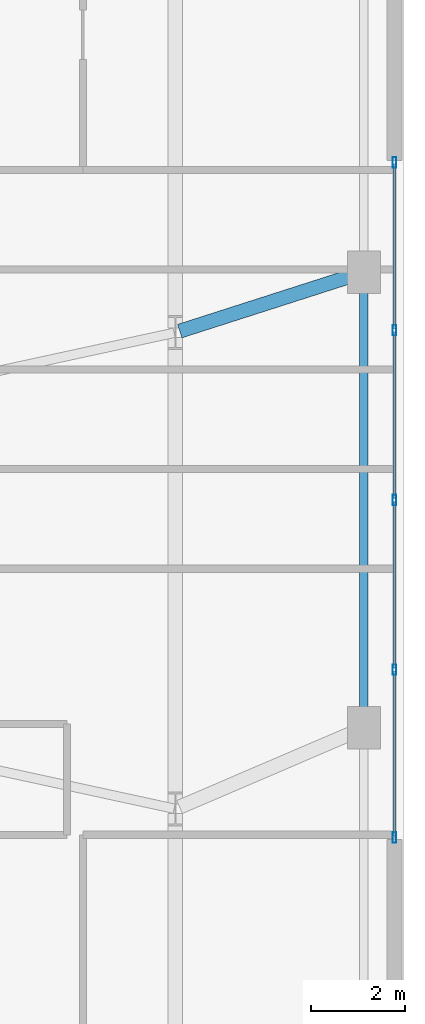
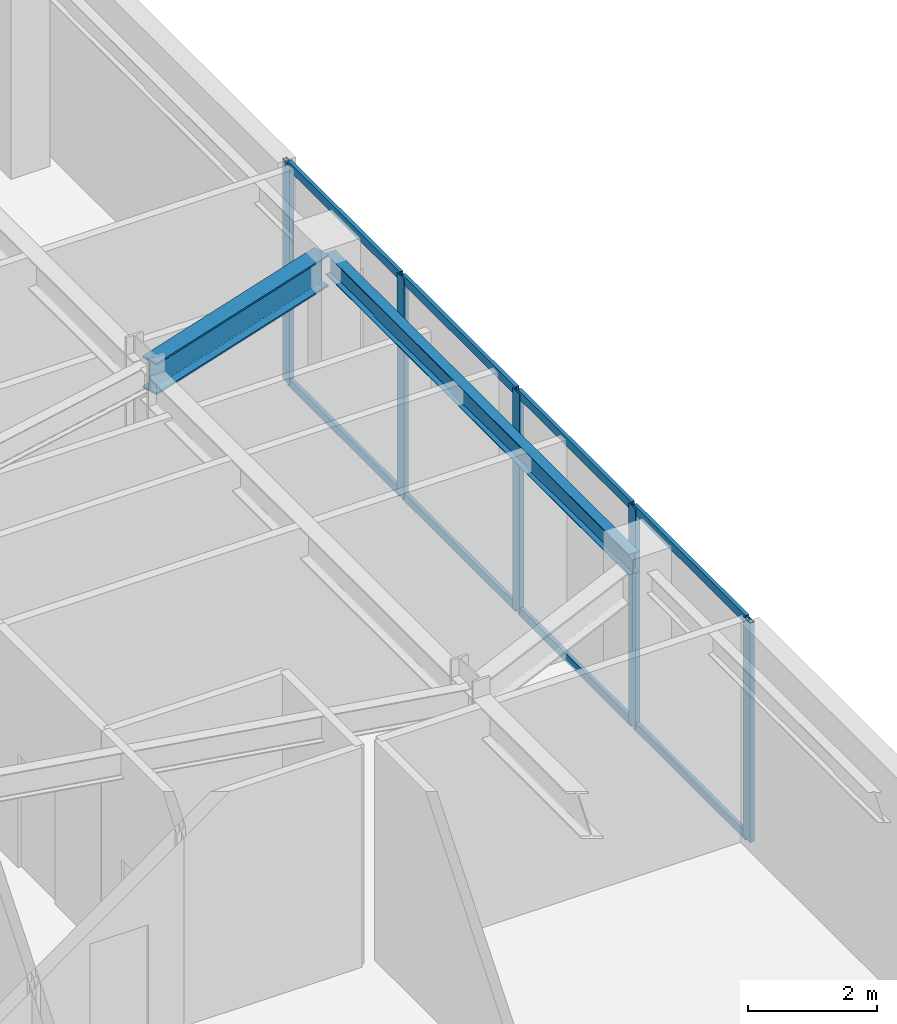
# One storey, part 9 of 21: 13 members, 2 beams, 1 element without a shape of its own.
"""IFC4 building model written with IfcOpenShell, lengths in metres."""

from ifc_helpers import new_model, si_unit, direction, frame, origin, origin_2d, place, context, subcontext, project, spatial, hollow_rectangle, i_section, extrude, material, layer, layer_set, material_profile, profile_set, type_object, element, aggregate, save


model = new_model("IFC4")

# Units and contexts
model_context = context("Model", 3, precision=1e-05, world=origin(), true_north=direction((0.0, 1.0)))
body_context = subcontext(model_context, "Body", "Model", "MODEL_VIEW")
ifc_project = project(units=[si_unit("LENGTHUNIT", "METRE"), si_unit("AREAUNIT", "SQUARE_METRE"), si_unit("VOLUMEUNIT", "CUBIC_METRE"), si_unit("PLANEANGLEUNIT", "RADIAN"), si_unit("MASSUNIT", "GRAM", prefix="KILO")], contexts=[model_context])

# Site, building, storey
site_placement = place(None, origin())
site = spatial("IfcSite", under=ifc_project, at=site_placement, CompositionType="ELEMENT")
building_placement = place(site_placement, origin())
building = spatial("IfcBuilding", under=site, at=building_placement, Name="Qobustan Lattice House", CompositionType="ELEMENT")
storey_placement = place(building_placement, frame((0.0, 0.0, 18.0)))
storey = spatial("IfcBuildingStorey", under=building, at=storey_placement, Name="L04", CompositionType="ELEMENT", Elevation=18.0)

# Beams
ifc_material_1 = material(Name="Steel S355", Category="steel")
ifc_material_profile_1 = material_profile(ifc_material_1, i_section(OverallWidth=0.300048828125, OverallDepth=0.60009765625, WebThickness=0.015380859375, FlangeThickness=0.030029296875, FilletRadius=0.027099609375, at=origin_2d()), Name="HEB600")
ifc_profile_set_1 = profile_set([ifc_material_profile_1], Name="Steel S355")
beam_type_1 = type_object("IfcBeamType", Name="BM-POD-HEB600", PredefinedType="USERDEFINED", material=ifc_profile_set_1)
beam_1_placement = place(storey_placement, frame((36.03564453125, 6.296630859375, 3.8701171875), z_axis=(-0.952198151545, -0.305481063561, 0.0), x_axis=(0.305481063561, -0.952198151545, 0.0)))
element("IfcBeam", 1, at=beam_1_placement, inside=storey, type_object=beam_type_1, Name="L04 podium radial girder PE3", ObjectType="GIRDER", PredefinedType="USERDEFINED", context=body_context, shape_type="SweptSolid", body=[
    extrude(i_section(OverallWidth=0.300048828125, OverallDepth=0.60009765625, WebThickness=0.015380859375, FlangeThickness=0.030029296875, FilletRadius=0.027099609375, at=origin_2d()), origin(), (0.0, 0.0, 1.0), 3.980712890625),
])
ifc_material_2 = material(Name="Steel S355", Category="steel")
ifc_material_profile_2 = material_profile(ifc_material_2, i_section(OverallWidth=0.179931640625, OverallDepth=0.39990234375, WebThickness=0.008544921875, FlangeThickness=0.013427734375, FilletRadius=0.02099609375, at=origin_2d()), Name="IPE400")
ifc_profile_set_2 = profile_set([ifc_material_profile_2], Name="Steel S355")
beam_type_2 = type_object("IfcBeamType", Name="BM-SPD-IPE400", PredefinedType="SPANDREL", material=ifc_profile_set_2)
beam_2_placement = place(storey_placement, frame((36.14990234375, -3.21337890625, 3.969970703125), z_axis=(0.0, 1.0, 0.0), x_axis=(-1.0, 0.0, 0.0)))
element("IfcBeam", 2, at=beam_2_placement, inside=storey, type_object=beam_type_2, Name="L04 podium spandrel PE2-PE3", PredefinedType="SPANDREL", context=body_context, shape_type="SweptSolid", body=[
    extrude(i_section(OverallWidth=0.179931640625, OverallDepth=0.39990234375, WebThickness=0.008544921875, FlangeThickness=0.013427734375, FilletRadius=0.02099609375, at=origin_2d()), origin(), (0.0, 0.0, 1.0), 9.4267578125),
])

# Curtain wall, members
ifc_material_3 = material(Name="Anodised aluminium and low-E glazing", Category="aluminium")
ifc_layer = layer(ifc_material_3, 0.219970703125)
ifc_layer_set = layer_set([ifc_layer], Name="Anodised aluminium and low-E glazing")
curtain_wall_type = type_object("IfcCurtainWallType", Name="CW-POD-01", PredefinedType="USERDEFINED", material=ifc_layer_set)
curtain_wall_placement = place(storey_placement, origin())
curtain_wall = element("IfcCurtainWall", 3, at=curtain_wall_placement, inside=storey, type_object=curtain_wall_type, Name="L04 E podium colonnade curtain wall", ObjectType="CURTAIN WALL", PredefinedType="USERDEFINED")
ifc_material_4 = material(Name="Anodised aluminium EN AW-6063 T6", Category="aluminium")
ifc_material_profile_3 = material_profile(ifc_material_4, hollow_rectangle(XDim=0.080078125, YDim=0.219970703125, WallThickness=0.0048828125, at=origin_2d()), Name="CWM-220x80")
ifc_profile_set_3 = profile_set([ifc_material_profile_3], Name="Anodised aluminium EN AW-6063 T6")
member_type_1 = type_object("IfcMemberType", Name="CWM-MAIN-220", PredefinedType="MULLION", material=ifc_profile_set_3)
member_1_placement = place(storey_placement, frame((36.800048828125, 8.659912109375, 0.0), z_axis=(0.0, 0.0, 1.0), x_axis=(1.0, 0.0, 0.0)))
member_1 = element("IfcMember", 4, at=member_1_placement, type_object=member_type_1, Name="CW-P1 mullion 1", PredefinedType="MULLION", context=body_context, shape_type="SweptSolid", body=[
    extrude(hollow_rectangle(XDim=0.080078125, YDim=0.219970703125, WallThickness=0.0048828125, at=origin_2d()), origin(), (0.0, 0.0, 1.0), 4.169921875),
])
member_2_placement = place(storey_placement, frame((36.800048828125, 5.10009765625, 0.0), z_axis=(0.0, 0.0, 1.0), x_axis=(1.0, 0.0, 0.0)))
member_2 = element("IfcMember", 5, at=member_2_placement, type_object=member_type_1, Name="CW-P1 mullion 2", PredefinedType="MULLION", context=body_context, shape_type="SweptSolid", body=[
    extrude(hollow_rectangle(XDim=0.080078125, YDim=0.219970703125, WallThickness=0.0048828125, at=origin_2d()), origin(), (0.0, 0.0, 1.0), 4.169921875),
])
member_3_placement = place(storey_placement, frame((36.800048828125, 1.5, 0.0), z_axis=(0.0, 0.0, 1.0), x_axis=(1.0, 0.0, 0.0)))
member_3 = element("IfcMember", 6, at=member_3_placement, type_object=member_type_1, Name="CW-P1 mullion 3", PredefinedType="MULLION", context=body_context, shape_type="SweptSolid", body=[
    extrude(hollow_rectangle(XDim=0.080078125, YDim=0.219970703125, WallThickness=0.0048828125, at=origin_2d()), origin(), (0.0, 0.0, 1.0), 4.169921875),
])
member_4_placement = place(storey_placement, frame((36.800048828125, -2.10009765625, 0.0), z_axis=(0.0, 0.0, 1.0), x_axis=(1.0, 0.0, 0.0)))
member_4 = element("IfcMember", 7, at=member_4_placement, type_object=member_type_1, Name="CW-P1 mullion 4", PredefinedType="MULLION", context=body_context, shape_type="SweptSolid", body=[
    extrude(hollow_rectangle(XDim=0.080078125, YDim=0.219970703125, WallThickness=0.0048828125, at=origin_2d()), origin(), (0.0, 0.0, 1.0), 4.169921875),
])
member_5_placement = place(storey_placement, frame((36.800048828125, -5.659912109375, 0.0), z_axis=(0.0, 0.0, 1.0), x_axis=(1.0, 0.0, 0.0)))
member_5 = element("IfcMember", 8, at=member_5_placement, type_object=member_type_1, Name="CW-P1 mullion 5", PredefinedType="MULLION", context=body_context, shape_type="SweptSolid", body=[
    extrude(hollow_rectangle(XDim=0.080078125, YDim=0.219970703125, WallThickness=0.0048828125, at=origin_2d()), origin(), (0.0, 0.0, 1.0), 4.169921875),
])
ifc_material_5 = material(Name="Anodised aluminium EN AW-6063 T6", Category="aluminium")
ifc_material_profile_4 = material_profile(ifc_material_5, hollow_rectangle(XDim=0.06494140625, YDim=0.159912109375, WallThickness=0.00390625, at=origin_2d()), Name="CWT-160x65")
ifc_profile_set_4 = profile_set([ifc_material_profile_4], Name="Anodised aluminium EN AW-6063 T6")
member_type_2 = type_object("IfcMemberType", Name="CWT-HOR-160", PredefinedType="USERDEFINED", material=ifc_profile_set_4)
member_6_placement = place(storey_placement, frame((36.800048828125, 8.6201171875, 0.032470703125), z_axis=(0.0, -1.0, 0.0), x_axis=(1.0, 0.0, 0.0)))
member_6 = element("IfcMember", 9, at=member_6_placement, type_object=member_type_2, Name="CW-P1 transom 1.1", ObjectType="TRANSOM", PredefinedType="USERDEFINED", context=body_context, shape_type="SweptSolid", body=[
    extrude(hollow_rectangle(XDim=0.06494140625, YDim=0.159912109375, WallThickness=0.00390625, at=origin_2d()), origin(), (0.0, 0.0, 1.0), 3.480224609375),
])
member_7_placement = place(storey_placement, frame((36.800048828125, 8.6201171875, 4.137451171875), z_axis=(0.0, -1.0, 0.0), x_axis=(1.0, 0.0, 0.0)))
member_7 = element("IfcMember", 10, at=member_7_placement, type_object=member_type_2, Name="CW-P1 transom 1.2", ObjectType="TRANSOM", PredefinedType="USERDEFINED", context=body_context, shape_type="SweptSolid", body=[
    extrude(hollow_rectangle(XDim=0.06494140625, YDim=0.159912109375, WallThickness=0.00390625, at=origin_2d()), origin(), (0.0, 0.0, 1.0), 3.480224609375),
])
member_8_placement = place(storey_placement, frame((36.800048828125, 5.06005859375, 0.032470703125), z_axis=(0.0, -1.0, 0.0), x_axis=(1.0, 0.0, 0.0)))
member_8 = element("IfcMember", 11, at=member_8_placement, type_object=member_type_2, Name="CW-P1 transom 2.1", ObjectType="TRANSOM", PredefinedType="USERDEFINED", context=body_context, shape_type="SweptSolid", body=[
    extrude(hollow_rectangle(XDim=0.06494140625, YDim=0.159912109375, WallThickness=0.00390625, at=origin_2d()), origin(), (0.0, 0.0, 1.0), 3.52001953125),
])
member_9_placement = place(storey_placement, frame((36.800048828125, 5.06005859375, 4.137451171875), z_axis=(0.0, -1.0, 0.0), x_axis=(1.0, 0.0, 0.0)))
member_9 = element("IfcMember", 12, at=member_9_placement, type_object=member_type_2, Name="CW-P1 transom 2.2", ObjectType="TRANSOM", PredefinedType="USERDEFINED", context=body_context, shape_type="SweptSolid", body=[
    extrude(hollow_rectangle(XDim=0.06494140625, YDim=0.159912109375, WallThickness=0.00390625, at=origin_2d()), origin(), (0.0, 0.0, 1.0), 3.52001953125),
])
member_10_placement = place(storey_placement, frame((36.800048828125, 1.4599609375, 0.032470703125), z_axis=(0.0, -1.0, 0.0), x_axis=(1.0, 0.0, 0.0)))
member_10 = element("IfcMember", 13, at=member_10_placement, type_object=member_type_2, Name="CW-P1 transom 3.1", ObjectType="TRANSOM", PredefinedType="USERDEFINED", context=body_context, shape_type="SweptSolid", body=[
    extrude(hollow_rectangle(XDim=0.06494140625, YDim=0.159912109375, WallThickness=0.00390625, at=origin_2d()), origin(), (0.0, 0.0, 1.0), 3.52001953125),
])
member_11_placement = place(storey_placement, frame((36.800048828125, 1.4599609375, 4.137451171875), z_axis=(0.0, -1.0, 0.0), x_axis=(1.0, 0.0, 0.0)))
member_11 = element("IfcMember", 14, at=member_11_placement, type_object=member_type_2, Name="CW-P1 transom 3.2", ObjectType="TRANSOM", PredefinedType="USERDEFINED", context=body_context, shape_type="SweptSolid", body=[
    extrude(hollow_rectangle(XDim=0.06494140625, YDim=0.159912109375, WallThickness=0.00390625, at=origin_2d()), origin(), (0.0, 0.0, 1.0), 3.52001953125),
])
member_12_placement = place(storey_placement, frame((36.800048828125, -2.139892578125, 0.032470703125), z_axis=(0.0, -1.0, 0.0), x_axis=(1.0, 0.0, 0.0)))
member_12 = element("IfcMember", 15, at=member_12_placement, type_object=member_type_2, Name="CW-P1 transom 4.1", ObjectType="TRANSOM", PredefinedType="USERDEFINED", context=body_context, shape_type="SweptSolid", body=[
    extrude(hollow_rectangle(XDim=0.06494140625, YDim=0.159912109375, WallThickness=0.00390625, at=origin_2d()), origin(), (0.0, 0.0, 1.0), 3.480224609375),
])
member_13_placement = place(storey_placement, frame((36.800048828125, -2.139892578125, 4.137451171875), z_axis=(0.0, -1.0, 0.0), x_axis=(1.0, 0.0, 0.0)))
member_13 = element("IfcMember", 16, at=member_13_placement, type_object=member_type_2, Name="CW-P1 transom 4.2", ObjectType="TRANSOM", PredefinedType="USERDEFINED", context=body_context, shape_type="SweptSolid", body=[
    extrude(hollow_rectangle(XDim=0.06494140625, YDim=0.159912109375, WallThickness=0.00390625, at=origin_2d()), origin(), (0.0, 0.0, 1.0), 3.480224609375),
])
aggregate(curtain_wall, [member_1, member_2, member_3, member_4, member_5, member_6, member_7, member_8, member_9, member_10, member_11, member_12, member_13])

save(model, "model.ifc")
